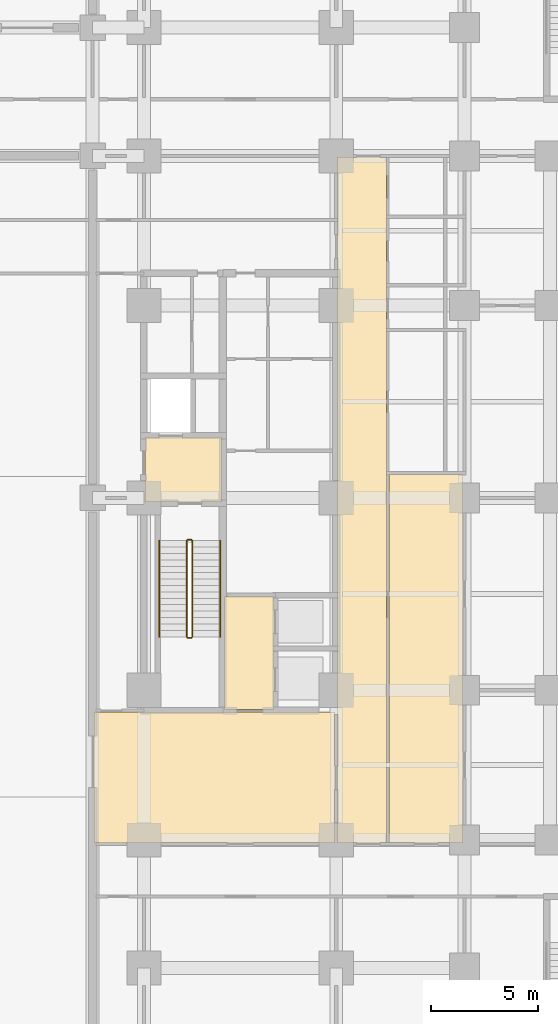
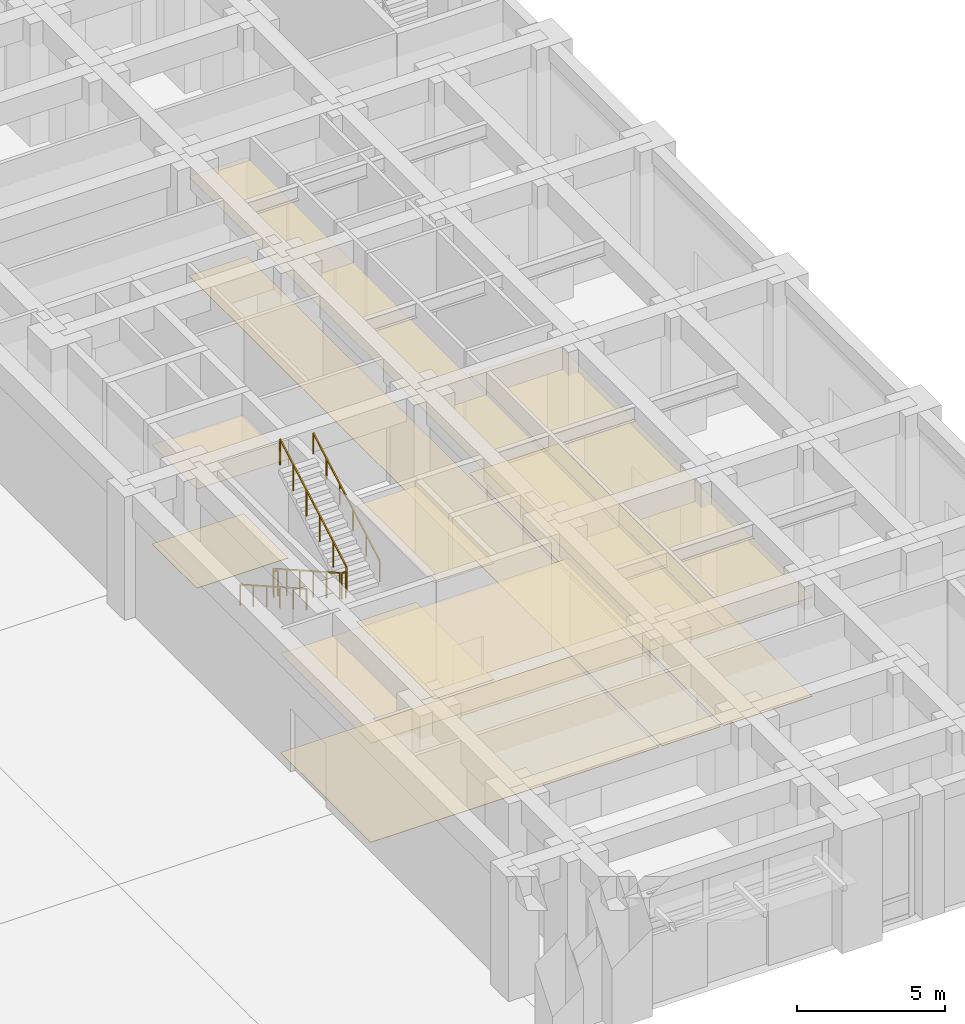
# One storey, part 16 of 20: 10 coverings, 6 railings.
"""IFC4 building model written with IfcOpenShell, lengths in metres."""

from ifc_helpers import new_model, si_unit, direction, frame, origin, origin_2d, place, context, subcontext, project, spatial, polyline, rectangle, outline, extrude, material, layer, layer_set, type_object, element, save


model = new_model("IFC4")

# Units and contexts
model_context = context("Model", 3, precision=1e-05, world=origin(), true_north=direction((0.0, 1.0)))
body_context = subcontext(model_context, "Body", "Model", "MODEL_VIEW")
ifc_project = project(units=[si_unit("LENGTHUNIT", "METRE"), si_unit("AREAUNIT", "SQUARE_METRE"), si_unit("VOLUMEUNIT", "CUBIC_METRE"), si_unit("PLANEANGLEUNIT", "RADIAN"), si_unit("MASSUNIT", "GRAM", prefix="KILO")], contexts=[model_context])

# Site, building, storey
site_placement = place(None, origin())
site = spatial("IfcSite", under=ifc_project, at=site_placement, CompositionType="ELEMENT")
building_placement = place(site_placement, origin())
building = spatial("IfcBuilding", under=site, at=building_placement, Name="Zulmaris Gate Convention Tower", CompositionType="ELEMENT")
storey_placement = place(building_placement, origin())
storey = spatial("IfcBuildingStorey", under=building, at=storey_placement, Name="L00", CompositionType="ELEMENT", Elevation=0.0)

# Coverings
ifc_material_1 = material(Name="Mineral Fibre Acoustic Ceiling Tile")
ifc_layer_1 = layer(ifc_material_1, 0.02001953125, Name="Mineral Fibre Acoustic Ceiling Tile")
ifc_layer_set_1 = layer_set([ifc_layer_1], Name="Mineral Fibre Acoustic Ceiling Tile")
covering_type_1 = type_object("IfcCoveringType", Name="CLG-ACOUSTIC-600", PredefinedType="CEILING", material=ifc_layer_set_1)
covering_1_placement = place(storey_placement, frame((0.0, 0.0, 4.099853515625)))
element("IfcCovering", 1, at=covering_1_placement, inside=storey, type_object=covering_type_1, Name="CLG-L00-R08", PredefinedType="CEILING", context=body_context, shape_type="SweptSolid", body=[
    extrude(outline(polyline([(11.06005859375, -0.18994140625), (14.639892578125, -0.18994140625), (14.639892578125, 2.840087890625), (11.06005859375, 2.840087890625), (11.06005859375, -0.18994140625)])), origin(), (0.0, 0.0, 1.0), 0.02001953125),
])
covering_2_placement = place(storey_placement, frame((0.0, 0.0, 4.809814453125)))
element("IfcCovering", 2, at=covering_2_placement, inside=storey, type_object=covering_type_1, Name="CLG-L00-R23", PredefinedType="CEILING", context=body_context, shape_type="SweptSolid", body=[
    extrude(outline(polyline([(14.760009765625, -9.889892578125), (17.090087890625, -9.889892578125), (17.090087890625, -4.610107421875), (14.760009765625, -4.610107421875), (14.760009765625, -9.889892578125)])), origin(), (0.0, 0.0, 1.0), 0.02001953125),
])
covering_3_placement = place(storey_placement, frame((0.0, 0.0, 4.099853515625)))
element("IfcCovering", 3, at=covering_3_placement, inside=storey, type_object=covering_type_1, Name="CLG-L00-R47", PredefinedType="CEILING", context=body_context, shape_type="SweptSolid", body=[
    extrude(outline(polyline([(20.06005859375, -16.139892578125), (22.340087890625, -16.139892578125), (22.340087890625, 15.93994140625), (20.06005859375, 15.93994140625), (20.06005859375, -16.139892578125)])), origin(), (0.0, 0.0, 1.0), 0.02001953125),
])
covering_4_placement = place(storey_placement, frame((0.0, 0.0, 4.099853515625)))
element("IfcCovering", 4, at=covering_4_placement, inside=storey, type_object=covering_type_1, Name="CLG-L00-R51", PredefinedType="CEILING", context=body_context, shape_type="SweptSolid", body=[
    extrude(outline(polyline([(8.659912109375, -16.139892578125), (19.93994140625, -16.139892578125), (19.93994140625, -10.010009765625), (8.659912109375, -10.010009765625), (8.659912109375, -16.139892578125)])), origin(), (0.0, 0.0, 1.0), 0.02001953125),
])
covering_5_placement = place(storey_placement, frame((0.0, 0.0, 4.099853515625)))
element("IfcCovering", 5, at=covering_5_placement, inside=storey, type_object=covering_type_1, Name="CLG-L00-R71", PredefinedType="CEILING", context=body_context, shape_type="SweptSolid", body=[
    extrude(outline(polyline([(22.4599609375, -16.139892578125), (25.93994140625, -16.139892578125), (25.93994140625, 1.090087890625), (22.4599609375, 1.090087890625), (22.4599609375, -16.139892578125)])), origin(), (0.0, 0.0, 1.0), 0.02001953125),
])
ifc_material_2 = material(Name="Woven Acoustic Wool Carpet Tile")
ifc_layer_2 = layer(ifc_material_2, 0.02001953125, Name="Woven Acoustic Wool Carpet Tile")
ifc_layer_set_2 = layer_set([ifc_layer_2], Name="Woven Acoustic Wool Carpet Tile")
covering_type_2 = type_object("IfcCoveringType", Name="FLR-CARPET-12", PredefinedType="FLOORING", material=ifc_layer_set_2)
covering_6_placement = place(storey_placement, origin())
element("IfcCovering", 6, at=covering_6_placement, inside=storey, type_object=covering_type_2, Name="FLR-L00-R08", PredefinedType="FLOORING", context=body_context, shape_type="SweptSolid", body=[
    extrude(outline(polyline([(11.06005859375, -0.18994140625), (14.639892578125, -0.18994140625), (14.639892578125, 2.840087890625), (11.06005859375, 2.840087890625), (11.06005859375, -0.18994140625)])), origin(), (0.0, 0.0, 1.0), 0.02001953125),
])
covering_7_placement = place(storey_placement, origin())
element("IfcCovering", 7, at=covering_7_placement, inside=storey, type_object=covering_type_2, Name="FLR-L00-R23", PredefinedType="FLOORING", context=body_context, shape_type="SweptSolid", body=[
    extrude(outline(polyline([(14.760009765625, -9.889892578125), (17.090087890625, -9.889892578125), (17.090087890625, -4.610107421875), (14.760009765625, -4.610107421875), (14.760009765625, -9.889892578125)])), origin(), (0.0, 0.0, 1.0), 0.02001953125),
])
covering_8_placement = place(storey_placement, origin())
element("IfcCovering", 8, at=covering_8_placement, inside=storey, type_object=covering_type_2, Name="FLR-L00-R47", PredefinedType="FLOORING", context=body_context, shape_type="SweptSolid", body=[
    extrude(outline(polyline([(20.06005859375, -16.139892578125), (22.340087890625, -16.139892578125), (22.340087890625, 15.93994140625), (20.06005859375, 15.93994140625), (20.06005859375, -16.139892578125)])), origin(), (0.0, 0.0, 1.0), 0.02001953125),
])
covering_9_placement = place(storey_placement, origin())
element("IfcCovering", 9, at=covering_9_placement, inside=storey, type_object=covering_type_2, Name="FLR-L00-R51", PredefinedType="FLOORING", context=body_context, shape_type="SweptSolid", body=[
    extrude(outline(polyline([(8.659912109375, -16.139892578125), (19.93994140625, -16.139892578125), (19.93994140625, -10.010009765625), (8.659912109375, -10.010009765625), (8.659912109375, -16.139892578125)])), origin(), (0.0, 0.0, 1.0), 0.02001953125),
])
covering_10_placement = place(storey_placement, origin())
element("IfcCovering", 10, at=covering_10_placement, inside=storey, type_object=covering_type_2, Name="FLR-L00-R71", PredefinedType="FLOORING", context=body_context, shape_type="SweptSolid", body=[
    extrude(outline(polyline([(22.4599609375, -16.139892578125), (25.93994140625, -16.139892578125), (25.93994140625, 1.090087890625), (22.4599609375, 1.090087890625), (22.4599609375, -16.139892578125)])), origin(), (0.0, 0.0, 1.0), 0.02001953125),
])

# Railings
ifc_material_3 = material(Name="Painted Galvanised Steel", Category="steel")
railing_type_1 = type_object("IfcRailingType", Name="RL-STG-1150", PredefinedType="GUARDRAIL", material=ifc_material_3)
railing_1_placement = place(storey_placement, frame((13.010009765625, -2.0, 0.169921875)))
element("IfcRailing", 11, at=railing_1_placement, inside=storey, type_object=railing_type_1, Name="L00 ST-2 stair guard 1", PredefinedType="GUARDRAIL", context=body_context, shape_type="SweptSolid", body=[
    extrude(rectangle(XDim=0.048095703125, YDim=0.048095703125, at=origin_2d()), frame((0.0, 0.0, 1.076171875), z_axis=(0.0, -0.870018136573, 0.493019717692), x_axis=(1.0, 0.0, 0.0)), (0.0, 0.0, 1.0), 5.17236328125),
    extrude(rectangle(XDim=0.0419921875, YDim=0.0419921875, at=origin_2d()), origin(), (0.0, 0.0, 1.0), 1.052001953125),
    extrude(rectangle(XDim=0.0419921875, YDim=0.0419921875, at=origin_2d()), frame((0.0, -0.89990234375, 0.510009765625)), (0.0, 0.0, 1.0), 1.052001953125),
    extrude(rectangle(XDim=0.0419921875, YDim=0.0419921875, at=origin_2d()), frame((0.0, -1.800048828125, 1.02001953125)), (0.0, 0.0, 1.0), 1.052001953125),
    extrude(rectangle(XDim=0.0419921875, YDim=0.0419921875, at=origin_2d()), frame((0.0, -2.699951171875, 1.530029296875)), (0.0, 0.0, 1.0), 1.052001953125),
    extrude(rectangle(XDim=0.0419921875, YDim=0.0419921875, at=origin_2d()), frame((0.0, -3.60009765625, 2.0400390625)), (0.0, 0.0, 1.0), 1.052001953125),
    extrude(rectangle(XDim=0.0419921875, YDim=0.0419921875, at=origin_2d()), frame((0.0, -4.5, 2.550048828125)), (0.0, 0.0, 1.0), 1.052001953125),
])
railing_2_placement = place(storey_placement, frame((13.06005859375, -6.550048828125, 2.719970703125)))
element("IfcRailing", 12, at=railing_2_placement, inside=storey, type_object=railing_type_1, Name="L00 ST-2 stair guard 2", PredefinedType="GUARDRAIL", context=body_context, shape_type="SweptSolid", body=[
    extrude(rectangle(XDim=0.048095703125, YDim=0.048095703125, at=origin_2d()), frame((0.0, 0.0, 1.076171875), z_axis=(1.0, 0.0, 0.0), x_axis=(0.0, 1.0, 0.0)), (0.0, 0.0, 1.0), 0.159912109375),
    extrude(rectangle(XDim=0.0419921875, YDim=0.0419921875, at=origin_2d()), origin(), (0.0, 0.0, 1.0), 1.052001953125),
    extrude(rectangle(XDim=0.0419921875, YDim=0.0419921875, at=origin_2d()), frame((0.159912109375, 0.0, 0.0)), (0.0, 0.0, 1.0), 1.052001953125),
])
railing_3_placement = place(storey_placement, frame((13.27001953125, -6.5, 2.889892578125)))
element("IfcRailing", 13, at=railing_3_placement, inside=storey, type_object=railing_type_1, Name="L00 ST-2 stair guard 3", PredefinedType="GUARDRAIL", context=body_context, shape_type="SweptSolid", body=[
    extrude(rectangle(XDim=0.048095703125, YDim=0.048095703125, at=origin_2d()), frame((0.0, 0.0, 1.076171875), z_axis=(0.0, 0.870018136573, 0.493019717692), x_axis=(-1.0, 0.0, 0.0)), (0.0, 0.0, 1.0), 5.17236328125),
    extrude(rectangle(XDim=0.0419921875, YDim=0.0419921875, at=origin_2d()), origin(), (0.0, 0.0, 1.0), 1.052001953125),
    extrude(rectangle(XDim=0.0419921875, YDim=0.0419921875, at=origin_2d()), frame((0.0, 0.89990234375, 0.510009765625)), (0.0, 0.0, 1.0), 1.052001953125),
    extrude(rectangle(XDim=0.0419921875, YDim=0.0419921875, at=origin_2d()), frame((0.0, 1.800048828125, 1.02001953125)), (0.0, 0.0, 1.0), 1.052001953125),
    extrude(rectangle(XDim=0.0419921875, YDim=0.0419921875, at=origin_2d()), frame((0.0, 2.699951171875, 1.530029296875)), (0.0, 0.0, 1.0), 1.052001953125),
    extrude(rectangle(XDim=0.0419921875, YDim=0.0419921875, at=origin_2d()), frame((0.0, 3.60009765625, 2.0400390625)), (0.0, 0.0, 1.0), 1.052001953125),
    extrude(rectangle(XDim=0.0419921875, YDim=0.0419921875, at=origin_2d()), frame((0.0, 4.5, 2.550048828125)), (0.0, 0.0, 1.0), 1.052001953125),
])
railing_4_placement = place(storey_placement, frame((13.06005859375, -1.949951171875, 0.0)))
element("IfcRailing", 14, at=railing_4_placement, inside=storey, type_object=railing_type_1, Name="L00 ST-2 stair guard 4", PredefinedType="GUARDRAIL", context=body_context, shape_type="SweptSolid", body=[
    extrude(rectangle(XDim=0.048095703125, YDim=0.048095703125, at=origin_2d()), frame((0.0, 0.0, 1.076171875), z_axis=(1.0, 0.0, 0.0), x_axis=(0.0, 1.0, 0.0)), (0.0, 0.0, 1.0), 0.159912109375),
    extrude(rectangle(XDim=0.0419921875, YDim=0.0419921875, at=origin_2d()), origin(), (0.0, 0.0, 1.0), 1.052001953125),
    extrude(rectangle(XDim=0.0419921875, YDim=0.0419921875, at=origin_2d()), frame((0.159912109375, 0.0, 0.0)), (0.0, 0.0, 1.0), 1.052001953125),
])
ifc_material_4 = material(Name="Brushed Stainless Steel", Category="steel")
railing_type_2 = type_object("IfcRailingType", Name="RL-STH-900", PredefinedType="HANDRAIL", material=ifc_material_4)
railing_5_placement = place(storey_placement, frame((11.7099609375, -2.0, 0.169921875)))
element("IfcRailing", 15, at=railing_5_placement, inside=storey, type_object=railing_type_2, Name="L00 ST-2 stair handrail 1", PredefinedType="HANDRAIL", context=body_context, shape_type="SweptSolid", body=[
    extrude(rectangle(XDim=0.048095703125, YDim=0.048095703125, at=origin_2d()), frame((0.0, 0.0, 0.8759765625), z_axis=(0.0, -0.870018136573, 0.493019717692), x_axis=(1.0, 0.0, 0.0)), (0.0, 0.0, 1.0), 5.17236328125),
    extrude(rectangle(XDim=0.0419921875, YDim=0.0419921875, at=origin_2d()), origin(), (0.0, 0.0, 1.0), 0.851806640625),
    extrude(rectangle(XDim=0.0419921875, YDim=0.0419921875, at=origin_2d()), frame((0.0, -0.89990234375, 0.510009765625)), (0.0, 0.0, 1.0), 0.851806640625),
    extrude(rectangle(XDim=0.0419921875, YDim=0.0419921875, at=origin_2d()), frame((0.0, -1.800048828125, 1.02001953125)), (0.0, 0.0, 1.0), 0.851806640625),
    extrude(rectangle(XDim=0.0419921875, YDim=0.0419921875, at=origin_2d()), frame((0.0, -2.699951171875, 1.530029296875)), (0.0, 0.0, 1.0), 0.851806640625),
    extrude(rectangle(XDim=0.0419921875, YDim=0.0419921875, at=origin_2d()), frame((0.0, -3.60009765625, 2.0400390625)), (0.0, 0.0, 1.0), 0.851806640625),
    extrude(rectangle(XDim=0.0419921875, YDim=0.0419921875, at=origin_2d()), frame((0.0, -4.5, 2.550048828125)), (0.0, 0.0, 1.0), 0.851806640625),
])
railing_6_placement = place(storey_placement, frame((14.570068359375, -6.5, 2.889892578125)))
element("IfcRailing", 16, at=railing_6_placement, inside=storey, type_object=railing_type_2, Name="L00 ST-2 stair handrail 2", PredefinedType="HANDRAIL", context=body_context, shape_type="SweptSolid", body=[
    extrude(rectangle(XDim=0.048095703125, YDim=0.048095703125, at=origin_2d()), frame((0.0, 0.0, 0.8759765625), z_axis=(0.0, 0.870018136573, 0.493019717692), x_axis=(-1.0, 0.0, 0.0)), (0.0, 0.0, 1.0), 5.17236328125),
    extrude(rectangle(XDim=0.0419921875, YDim=0.0419921875, at=origin_2d()), origin(), (0.0, 0.0, 1.0), 0.851806640625),
    extrude(rectangle(XDim=0.0419921875, YDim=0.0419921875, at=origin_2d()), frame((0.0, 0.89990234375, 0.510009765625)), (0.0, 0.0, 1.0), 0.851806640625),
    extrude(rectangle(XDim=0.0419921875, YDim=0.0419921875, at=origin_2d()), frame((0.0, 1.800048828125, 1.02001953125)), (0.0, 0.0, 1.0), 0.851806640625),
    extrude(rectangle(XDim=0.0419921875, YDim=0.0419921875, at=origin_2d()), frame((0.0, 2.699951171875, 1.530029296875)), (0.0, 0.0, 1.0), 0.851806640625),
    extrude(rectangle(XDim=0.0419921875, YDim=0.0419921875, at=origin_2d()), frame((0.0, 3.60009765625, 2.0400390625)), (0.0, 0.0, 1.0), 0.851806640625),
    extrude(rectangle(XDim=0.0419921875, YDim=0.0419921875, at=origin_2d()), frame((0.0, 4.5, 2.550048828125)), (0.0, 0.0, 1.0), 0.851806640625),
])

save(model, "model.ifc")
